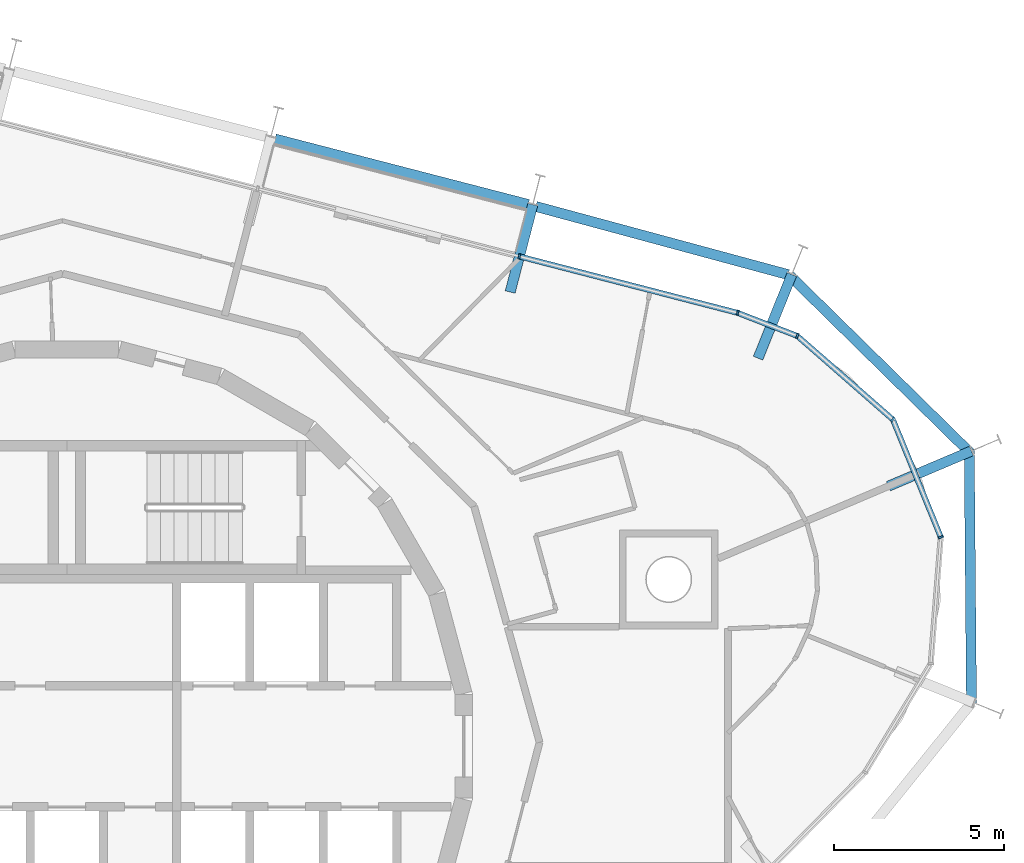
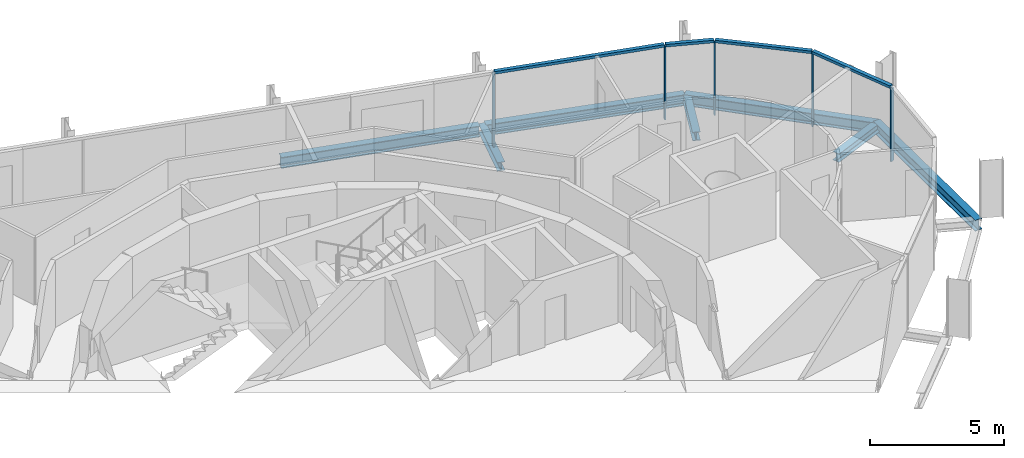
# One storey, part 7 of 15: 9 members, 7 beams, 2 elements without a shape of their own.
"""IFC4 building model written with IfcOpenShell, lengths in metres."""

from ifc_helpers import new_model, si_unit, direction, frame, origin, origin_2d, place, context, subcontext, project, spatial, rectangle, i_section, extrude, material, layer, layer_set, material_profile, profile_set, type_object, element, aggregate, save


model = new_model("IFC4")

# Units and contexts
model_context = context("Model", 3, precision=1e-05, world=origin(), true_north=direction((0.0, 1.0)))
body_context = subcontext(model_context, "Body", "Model", "MODEL_VIEW")
ifc_project = project(units=[si_unit("LENGTHUNIT", "METRE"), si_unit("AREAUNIT", "SQUARE_METRE"), si_unit("VOLUMEUNIT", "CUBIC_METRE"), si_unit("PLANEANGLEUNIT", "RADIAN"), si_unit("MASSUNIT", "GRAM", prefix="KILO")], contexts=[model_context])

# Site, building, storey
site_placement = place(None, origin())
site = spatial("IfcSite", under=ifc_project, at=site_placement, CompositionType="ELEMENT")
building_placement = place(site_placement, origin())
building = spatial("IfcBuilding", under=site, at=building_placement, Name="Spindle Arch Residences", CompositionType="ELEMENT")
storey_placement = place(building_placement, frame((0.0, 0.0, 322.699951171875)))
storey = spatial("IfcBuildingStorey", under=building, at=storey_placement, Name="L83", CompositionType="ELEMENT", Elevation=322.699951171875)

# Curtain wall, members
ifc_material_1 = material(Name="Aluminium bronze unitised frame with tinted glass", Category="aluminium")
ifc_layer_1 = layer(ifc_material_1, 0.159912109375)
ifc_layer_set_1 = layer_set([ifc_layer_1], Name="CW-D corner wall on the fillet arcs")
curtain_wall_type_1 = type_object("IfcCurtainWallType", Name="CW-D corner wall on the fillet arcs", PredefinedType="NOTDEFINED", material=ifc_layer_set_1)
curtain_wall_1_placement = place(storey_placement, origin())
curtain_wall_1 = element("IfcCurtainWall", 1, at=curtain_wall_1_placement, inside=storey, type_object=curtain_wall_type_1, Name="CW-D L83 run 1", PredefinedType="NOTDEFINED")
ifc_material_2 = material(Name="Aluminium bronze anodised mullion", Category="aluminium")
ifc_material_profile_1 = material_profile(ifc_material_2, rectangle(XDim=0.159912109375, YDim=0.06005859375, at=origin_2d()), Name="MU 60x160")
ifc_profile_set_1 = profile_set([ifc_material_profile_1], Name="Aluminium bronze anodised mullion")
member_type_1 = type_object("IfcMemberType", Name="Bronze mullion 60x160", PredefinedType="MULLION", material=ifc_profile_set_1)
member_1_placement = place(storey_placement, frame((25.646728515625, 6.13916015625, -0.3798828125), z_axis=(0.0, 0.0, 1.0), x_axis=(-0.926090247396, -0.377302072189, 0.0)))
member_1 = element("IfcMember", 2, at=member_1_placement, type_object=member_type_1, Name="CW-D mullion 03", PredefinedType="MULLION", context=body_context, shape_type="SweptSolid", body=[
    extrude(rectangle(XDim=0.159912109375, YDim=0.06005859375, at=origin_2d()), origin(), (0.0, 0.0, 1.0), 3.309814453125),
])
member_2_placement = place(storey_placement, frame((24.24072265625, 9.59033203125, -0.3798828125), z_axis=(0.0, 0.0, 1.0), x_axis=(-0.658251611308, -0.752797991635, 0.0)))
member_2 = element("IfcMember", 3, at=member_2_placement, type_object=member_type_1, Name="CW-D mullion 04", PredefinedType="MULLION", context=body_context, shape_type="SweptSolid", body=[
    extrude(rectangle(XDim=0.159912109375, YDim=0.06005859375, at=origin_2d()), origin(), (0.0, 0.0, 1.0), 3.309814453125),
])
member_3_placement = place(storey_placement, frame((21.435302734375, 12.04345703125, -0.3798828125), z_axis=(0.0, 0.0, 1.0), x_axis=(-0.361082099353, -0.932534030225, 0.0)))
member_3 = element("IfcMember", 4, at=member_3_placement, type_object=member_type_1, Name="CW-D mullion 05", PredefinedType="MULLION", context=body_context, shape_type="SweptSolid", body=[
    extrude(rectangle(XDim=0.159912109375, YDim=0.06005859375, at=origin_2d()), origin(), (0.0, 0.0, 1.0), 3.309814453125),
])
member_4_placement = place(storey_placement, frame((19.685791015625, 12.720947265625, -0.3798828125), z_axis=(0.0, 0.0, 1.0), x_axis=(-0.250380004054, -0.968147640378, 0.0)))
member_4 = element("IfcMember", 5, at=member_4_placement, type_object=member_type_1, Name="CW-D mullion 06", PredefinedType="MULLION", context=body_context, shape_type="SweptSolid", body=[
    extrude(rectangle(XDim=0.159912109375, YDim=0.06005859375, at=origin_2d()), origin(), (0.0, 0.0, 1.0), 3.309814453125),
])

# Curtain wall, member
ifc_material_3 = material(Name="Aluminium bronze unitised frame with tinted glass", Category="aluminium")
ifc_layer_2 = layer(ifc_material_3, 0.159912109375)
ifc_layer_set_2 = layer_set([ifc_layer_2], Name="CW-C typical residential unitised wall")
curtain_wall_type_2 = type_object("IfcCurtainWallType", Name="CW-C typical residential unitised wall", PredefinedType="NOTDEFINED", material=ifc_layer_set_2)
curtain_wall_2_placement = place(storey_placement, origin())
curtain_wall_2 = element("IfcCurtainWall", 6, at=curtain_wall_2_placement, inside=storey, type_object=curtain_wall_type_2, Name="CW-C L83 run 2", PredefinedType="NOTDEFINED")
member_5_placement = place(storey_placement, frame((13.280517578125, 14.37744140625, -0.3798828125), z_axis=(0.0, 0.0, 1.0), x_axis=(-0.250380004054, -0.968147640378, 0.0)))
member_5 = element("IfcMember", 7, at=member_5_placement, type_object=member_type_1, Name="CW-C mullion 05", PredefinedType="MULLION", context=body_context, shape_type="SweptSolid", body=[
    extrude(rectangle(XDim=0.159912109375, YDim=0.06005859375, at=origin_2d()), origin(), (0.0, 0.0, 1.0), 3.309814453125),
])
aggregate(curtain_wall_2, [member_5])

# Member
ifc_material_4 = material(Name="Aluminium bronze anodised transom", Category="aluminium")
ifc_material_profile_2 = material_profile(ifc_material_4, rectangle(XDim=0.159912109375, YDim=0.1201171875, at=origin_2d()), Name="TR 120x160")
ifc_profile_set_2 = profile_set([ifc_material_profile_2], Name="Aluminium bronze anodised transom")
member_type_2 = type_object("IfcMemberType", Name="Bronze transom 120x160", PredefinedType="USERDEFINED", material=ifc_profile_set_2)
member_6_placement = place(storey_placement, frame((25.635498046875, 6.166748046875, 2.989990234375), z_axis=(-0.377318036671, 0.926083743083, 0.0), x_axis=(-0.926083743083, -0.377318036671, 0.0)))
member_6 = element("IfcMember", 8, at=member_6_placement, type_object=member_type_2, Name="CW-D transom 03", ObjectType="TRANSOM", PredefinedType="USERDEFINED", context=body_context, shape_type="SweptSolid", body=[
    extrude(rectangle(XDim=0.159912109375, YDim=0.1201171875, at=origin_2d()), origin(), (0.0, 0.0, 1.0), 3.666748046875),
])

member_7_placement = place(storey_placement, frame((24.218017578125, 9.610107421875, 2.989990234375), z_axis=(-0.752799384177, 0.658250018749, 0.0), x_axis=(-0.658250018749, -0.752799384177, 0.0)))
member_7 = element("IfcMember", 9, at=member_7_placement, type_object=member_type_2, Name="CW-D transom 04", ObjectType="TRANSOM", PredefinedType="USERDEFINED", context=body_context, shape_type="SweptSolid", body=[
    extrude(rectangle(XDim=0.159912109375, YDim=0.1201171875, at=origin_2d()), origin(), (0.0, 0.0, 1.0), 3.666748046875),
])

member_8_placement = place(storey_placement, frame((21.4072265625, 12.054443359375, 2.989990234375), z_axis=(-0.932581237084, 0.360960158796, 0.0), x_axis=(-0.360960158796, -0.932581237084, 0.0)))
member_8 = element("IfcMember", 10, at=member_8_placement, type_object=member_type_2, Name="CW-D transom 05", ObjectType="TRANSOM", PredefinedType="USERDEFINED", context=body_context, shape_type="SweptSolid", body=[
    extrude(rectangle(XDim=0.159912109375, YDim=0.1201171875, at=origin_2d()), origin(), (0.0, 0.0, 1.0), 1.81591796875),
])

member_9_placement = place(storey_placement, frame((19.65673828125, 12.728515625, 2.989990234375), z_axis=(-0.968152514415, 0.250361156797, 0.0), x_axis=(-0.250361156797, -0.968152514415, 0.0)))
member_9 = element("IfcMember", 11, at=member_9_placement, type_object=member_type_2, Name="CW-D transom 06", ObjectType="TRANSOM", PredefinedType="USERDEFINED", context=body_context, shape_type="SweptSolid", body=[
    extrude(rectangle(XDim=0.159912109375, YDim=0.1201171875, at=origin_2d()), origin(), (0.0, 0.0, 1.0), 6.555908203125),
])

aggregate(curtain_wall_1, [member_1, member_6, member_2, member_7, member_3, member_8, member_4, member_9])

# Beams
ifc_material_5 = material(Name="Steel S460ML, intumescent coating R 120", Category="steel")
ifc_material_profile_3 = material_profile(ifc_material_5, i_section(OverallWidth=0.300048828125, OverallDepth=0.5, WebThickness=0.014404296875, FlangeThickness=0.028076171875, FilletRadius=0.027099609375, at=origin_2d()), Name="HEB 500")
ifc_profile_set_3 = profile_set([ifc_material_profile_3], Name="Steel S460ML, intumescent coating R 120")
beam_type_1 = type_object("IfcBeamType", Name="Exoskeleton edge beam HEB 500", PredefinedType="BEAM", material=ifc_profile_set_3)
for number, where, z_axis, x_axis, name in (
    (12, (26.54541015625, 1.238525390625, -0.6298828125), (-0.008657825592, 0.999962520326, 0.0), (-0.999962520326, -0.008657825592, 0.0), "Exoskeleton edge beam 3"),
    (13, (26.530517578125, 8.59375, -0.6298828125), (-0.713367950358, 0.700789674155, 0.0), (-0.700789674155, -0.713367950358, 0.0), "Exoskeleton edge beam 4"),
):
    element("IfcBeam", number, at=place(storey_placement, frame(where, z_axis=z_axis, x_axis=x_axis)), inside=storey, type_object=beam_type_1, Name=name, PredefinedType="BEAM", context=body_context, shape_type="SweptSolid", body=[
        extrude(i_section(OverallWidth=0.300048828125, OverallDepth=0.5, WebThickness=0.014404296875, FlangeThickness=0.028076171875, FilletRadius=0.027099609375, at=origin_2d()), origin(), (0.0, 0.0, 1.0), 7.47265625),
    ])
beam_1_placement = place(storey_placement, frame((21.16748046875, 13.842041015625, -0.6298828125), z_axis=(-0.965376606597, 0.260860130024, 0.0), x_axis=(-0.260860130024, -0.965376606597, 0.0)))
element("IfcBeam", 14, at=beam_1_placement, inside=storey, type_object=beam_type_1, Name="Exoskeleton edge beam 5", PredefinedType="BEAM", context=body_context, shape_type="SweptSolid", body=[
    extrude(i_section(OverallWidth=0.300048828125, OverallDepth=0.5, WebThickness=0.014404296875, FlangeThickness=0.028076171875, FilletRadius=0.027099609375, at=origin_2d()), origin(), (0.0, 0.0, 1.0), 7.671630859375),
])
beam_2_placement = place(storey_placement, frame((13.540283203125, 15.90087890625, -0.6298828125), z_axis=(-0.968149836341, 0.250371512743, 0.0), x_axis=(-0.250371512743, -0.968149836341, 0.0)))
element("IfcBeam", 15, at=beam_2_placement, inside=storey, type_object=beam_type_1, Name="Exoskeleton edge beam 6", PredefinedType="BEAM", context=body_context, shape_type="SweptSolid", body=[
    extrude(i_section(OverallWidth=0.300048828125, OverallDepth=0.5, WebThickness=0.014404296875, FlangeThickness=0.028076171875, FilletRadius=0.027099609375, at=origin_2d()), origin(), (0.0, 0.0, 1.0), 7.675048828125),
])
ifc_material_6 = material(Name="Steel S460ML, intumescent coating R 120", Category="steel")
ifc_material_profile_4 = material_profile(ifc_material_6, i_section(OverallWidth=0.300048828125, OverallDepth=0.389892578125, WebThickness=0.010986328125, FlangeThickness=0.01904296875, FilletRadius=0.027099609375, at=origin_2d()), Name="HEA 400")
ifc_profile_set_4 = profile_set([ifc_material_profile_4], Name="Steel S460ML, intumescent coating R 120")
beam_type_2 = type_object("IfcBeamType", Name="Floor outrigger HEA 400", PredefinedType="BEAM", material=ifc_profile_set_4)
for number, where, z_axis, x_axis, name in (
    (16, (26.54541015625, 8.669189453125, -0.574951171875), (-0.920502463847, -0.390736758, 0.0), (0.390736758, -0.920502463847, 0.0), "Floor outrigger 4"),
    (17, (21.27490234375, 13.8466796875, -0.574951171875), (-0.374327471234, -0.927296578382, 0.0), (0.927296578382, -0.374327471234, 0.0), "Floor outrigger 5"),
):
    element("IfcBeam", number, at=place(storey_placement, frame(where, z_axis=z_axis, x_axis=x_axis)), inside=storey, type_object=beam_type_2, Name=name, PredefinedType="BEAM", context=body_context, shape_type="SweptSolid", body=[
        extrude(i_section(OverallWidth=0.300048828125, OverallDepth=0.389892578125, WebThickness=0.010986328125, FlangeThickness=0.01904296875, FilletRadius=0.027099609375, at=origin_2d()), origin(), (0.0, 0.0, 1.0), 2.64990234375),
    ])
beam_3_placement = place(storey_placement, frame((13.673583984375, 15.8974609375, -0.574951171875), z_axis=(-0.250396221036, -0.968143446237, 0.0), x_axis=(0.968143446237, -0.250396221036, 0.0)))
element("IfcBeam", 18, at=beam_3_placement, inside=storey, type_object=beam_type_2, Name="Floor outrigger 6", PredefinedType="BEAM", context=body_context, shape_type="SweptSolid", body=[
    extrude(i_section(OverallWidth=0.300048828125, OverallDepth=0.389892578125, WebThickness=0.010986328125, FlangeThickness=0.01904296875, FilletRadius=0.027099609375, at=origin_2d()), origin(), (0.0, 0.0, 1.0), 2.650146484375),
])

save(model, "model.ifc")
